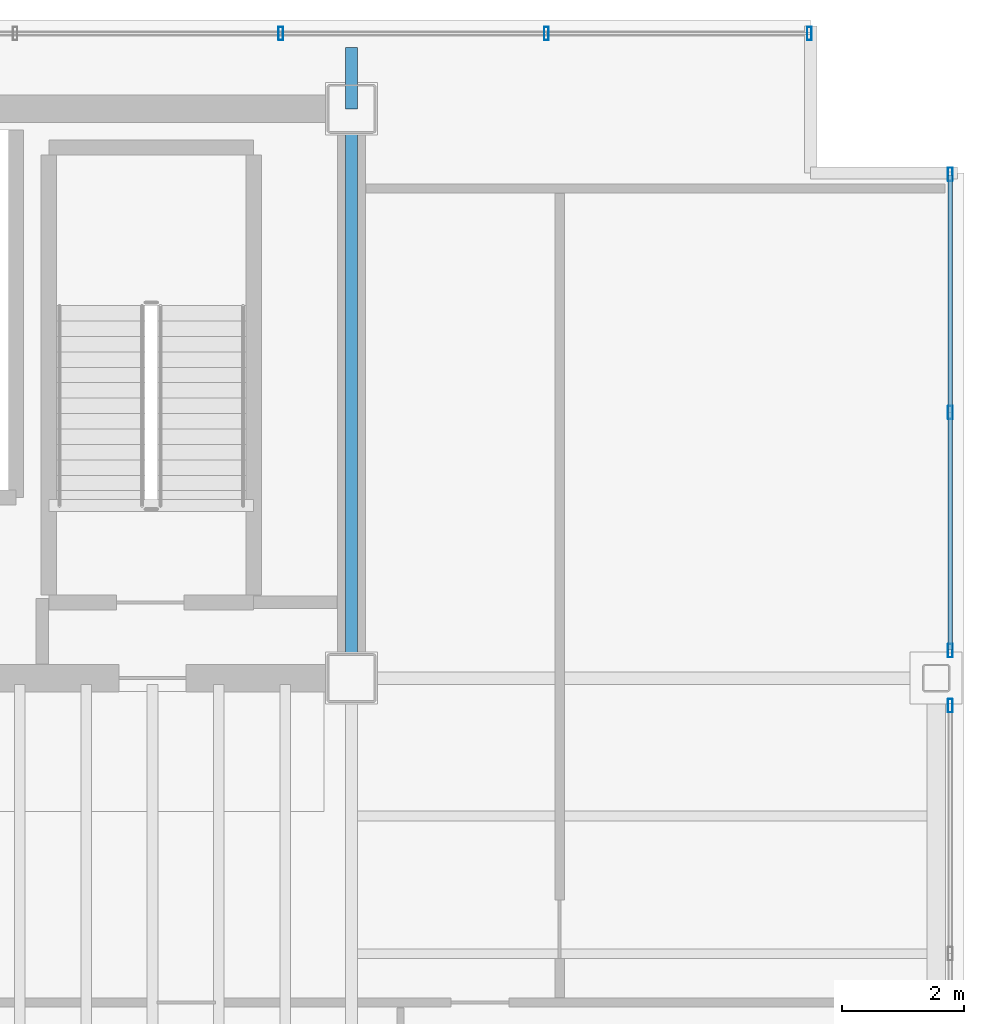
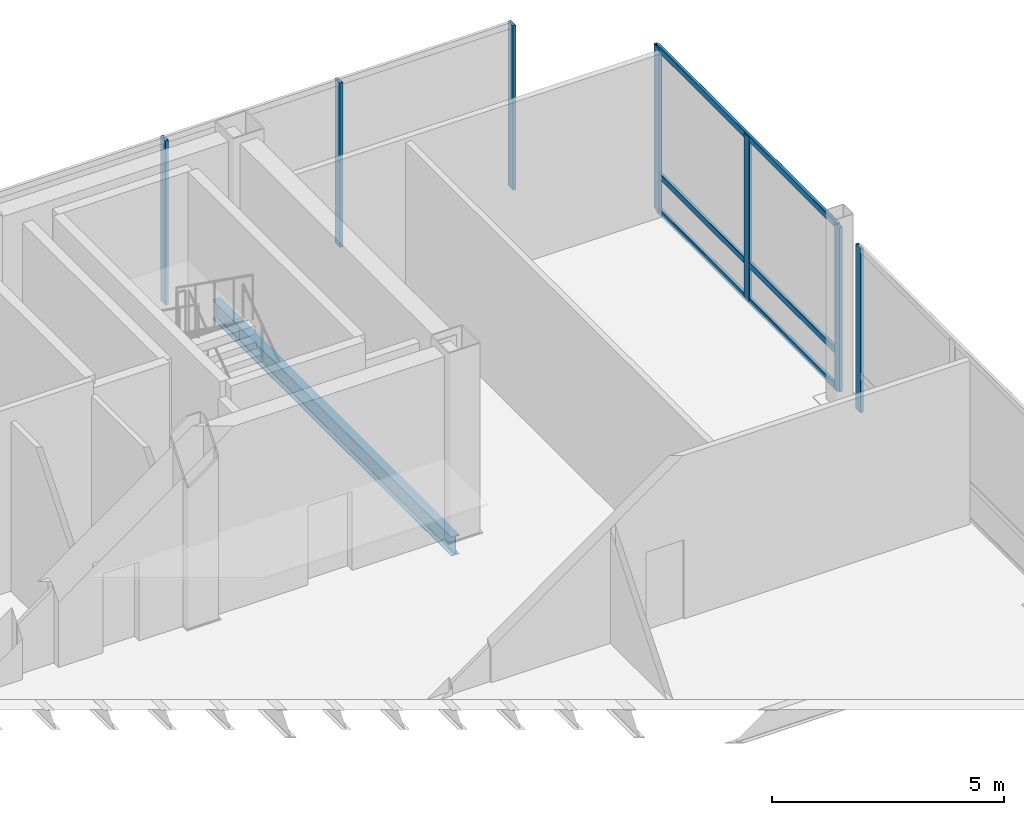
# One storey, part 11 of 15: 10 members, 2 beams, 3 elements without a shape of their own.
"""IFC4 building model written with IfcOpenShell, lengths in metres."""

from ifc_helpers import new_model, si_unit, direction, frame, origin, origin_2d, place, context, subcontext, project, spatial, hollow_rectangle, i_section, extrude, material, material_profile, profile_set, type_object, element, aggregate, save


model = new_model("IFC4")

# Units and contexts
model_context = context("Model", 3, precision=1e-05, world=origin(), true_north=direction((0.0, 1.0)))
body_context = subcontext(model_context, "Body", "Model", "MODEL_VIEW")
ifc_project = project(units=[si_unit("LENGTHUNIT", "METRE"), si_unit("AREAUNIT", "SQUARE_METRE"), si_unit("VOLUMEUNIT", "CUBIC_METRE"), si_unit("PLANEANGLEUNIT", "RADIAN"), si_unit("MASSUNIT", "GRAM", prefix="KILO")], contexts=[model_context])

# Site, building, storey
site_placement = place(None, origin())
site = spatial("IfcSite", under=ifc_project, at=site_placement, CompositionType="ELEMENT")
building_placement = place(site_placement, origin())
building = spatial("IfcBuilding", under=site, at=building_placement, Name="Noeulbin Bourse Tower", CompositionType="ELEMENT")
storey_placement = place(building_placement, frame((0.0, 0.0, 206.10009765625)))
storey = spatial("IfcBuildingStorey", under=building, at=storey_placement, Name="L51", CompositionType="ELEMENT", Elevation=206.10009765625)

# Beams
ifc_material_1 = material(Name="Steel S355", Category="steel")
ifc_material_profile_1 = material_profile(ifc_material_1, i_section(OverallWidth=0.199951171875, OverallDepth=0.5, WebThickness=0.010009765625, FlangeThickness=0.01611328125, FilletRadius=0.02001953125, at=origin_2d()), Name="H-500x200x10x16", Category="LoadBearing")
ifc_profile_set_1 = profile_set([ifc_material_profile_1], Name="Steel S355")
beam_type = type_object("IfcBeamType", Name="BM-GRD-500", PredefinedType="USERDEFINED", material=ifc_profile_set_1)
beam_1_placement = place(storey_placement, frame((44.0, 29.0, -0.43017578125), z_axis=(0.0, 1.0, 0.0), x_axis=(-1.0, 0.0, 0.0)))
element("IfcBeam", 1, at=beam_1_placement, inside=storey, type_object=beam_type, Name="Tower Primary Girder NS L51-5.3", ObjectType="GIRDER", PredefinedType="USERDEFINED", context=body_context, shape_type="SweptSolid", body=[
    extrude(i_section(OverallWidth=0.199951171875, OverallDepth=0.5, WebThickness=0.010009765625, FlangeThickness=0.01611328125, FilletRadius=0.02001953125, at=origin_2d()), origin(), (0.0, 0.0, 1.0), 9.300048828125),
])
beam_2_placement = place(storey_placement, frame((44.0, 38.300048828125, -0.43017578125), z_axis=(0.0, 1.0, 0.0), x_axis=(-1.0, 0.0, 0.0)))
element("IfcBeam", 2, at=beam_2_placement, inside=storey, type_object=beam_type, Name="Tower Primary Girder NS L51-5.4", ObjectType="GIRDER", PredefinedType="USERDEFINED", context=body_context, shape_type="SweptSolid", body=[
    extrude(i_section(OverallWidth=0.199951171875, OverallDepth=0.5, WebThickness=0.010009765625, FlangeThickness=0.01611328125, FilletRadius=0.02001953125, at=origin_2d()), origin(), (0.0, 0.0, 1.0), 1.0),
])

# Curtain wall, members
ifc_material_2 = material(Name="High-Selectivity Low-Iron Glazing", Category="glass")
curtain_wall_type = type_object("IfcCurtainWallType", Name="CW-SYS-4", PredefinedType="NOTDEFINED", material=ifc_material_2)
curtain_wall_1_placement = place(storey_placement, origin())
curtain_wall_1 = element("IfcCurtainWall", 3, at=curtain_wall_1_placement, inside=storey, type_object=curtain_wall_type, Name="Unitised Curtain Wall CW-L51-N", PredefinedType="NOTDEFINED")
ifc_material_3 = material(Name="Anodised Aluminium 6063-T6", Category="aluminium")
ifc_material_profile_2 = material_profile(ifc_material_3, hollow_rectangle(XDim=0.074951171875, YDim=0.219970703125, WallThickness=0.0048828125, InnerFilletRadius=0.00244140625, OuterFilletRadius=0.0048828125, at=origin_2d()), Name="ALU-MULL-75x220x5", Category="LoadBearing")
ifc_profile_set_2 = profile_set([ifc_material_profile_2], Name="Anodised Aluminium 6063-T6")
member_type_1 = type_object("IfcMemberType", Name="CW-SYS-4-MUL", PredefinedType="MULLION", material=ifc_profile_set_2)
member_1_placement = place(storey_placement, frame((42.844482421875, 39.530029296875, -0.02001953125), z_axis=(0.0, 0.0, 1.0), x_axis=(1.0, 0.0, 0.0)))
member_1 = element("IfcMember", 4, at=member_1_placement, type_object=member_type_1, Name="Curtain Wall Mullion CW-L51-N-M07", PredefinedType="MULLION", context=body_context, shape_type="SweptSolid", body=[
    extrude(hollow_rectangle(XDim=0.074951171875, YDim=0.219970703125, WallThickness=0.0048828125, InnerFilletRadius=0.00244140625, OuterFilletRadius=0.0048828125, at=origin_2d()), origin(), (0.0, 0.0, 1.0), 4.31982421875),
])
member_2_placement = place(storey_placement, frame((47.18212890625, 39.530029296875, -0.02001953125), z_axis=(0.0, 0.0, 1.0), x_axis=(1.0, 0.0, 0.0)))
member_2 = element("IfcMember", 5, at=member_2_placement, type_object=member_type_1, Name="Curtain Wall Mullion CW-L51-N-M08", PredefinedType="MULLION", context=body_context, shape_type="SweptSolid", body=[
    extrude(hollow_rectangle(XDim=0.074951171875, YDim=0.219970703125, WallThickness=0.0048828125, InnerFilletRadius=0.00244140625, OuterFilletRadius=0.0048828125, at=origin_2d()), origin(), (0.0, 0.0, 1.0), 4.31982421875),
])
member_3_placement = place(storey_placement, frame((51.47998046875, 39.530029296875, -0.02001953125), z_axis=(0.0, 0.0, 1.0), x_axis=(1.0, 0.0, 0.0)))
member_3 = element("IfcMember", 6, at=member_3_placement, type_object=member_type_1, Name="Curtain Wall Mullion CW-L51-N-M09", PredefinedType="MULLION", context=body_context, shape_type="SweptSolid", body=[
    extrude(hollow_rectangle(XDim=0.074951171875, YDim=0.219970703125, WallThickness=0.0048828125, InnerFilletRadius=0.00244140625, OuterFilletRadius=0.0048828125, at=origin_2d()), origin(), (0.0, 0.0, 1.0), 4.31982421875),
])
aggregate(curtain_wall_1, [member_1, member_2, member_3])

# Curtain wall, member
curtain_wall_2_placement = place(storey_placement, origin())
curtain_wall_2 = element("IfcCurtainWall", 7, at=curtain_wall_2_placement, inside=storey, type_object=curtain_wall_type, Name="Unitised Curtain Wall CW-L51-E-S2", PredefinedType="NOTDEFINED")
member_4_placement = place(storey_placement, frame((53.780029296875, 28.550048828125, -0.02001953125), z_axis=(0.0, 0.0, 1.0), x_axis=(1.0, 0.0, 0.0)))
member_4 = element("IfcMember", 8, at=member_4_placement, type_object=member_type_1, Name="Curtain Wall Mullion CW-L51-E-S2-M02", PredefinedType="MULLION", context=body_context, shape_type="SweptSolid", body=[
    extrude(hollow_rectangle(XDim=0.074951171875, YDim=0.219970703125, WallThickness=0.0048828125, InnerFilletRadius=0.00244140625, OuterFilletRadius=0.0048828125, at=origin_2d()), origin(), (0.0, 0.0, 1.0), 4.31982421875),
])
aggregate(curtain_wall_2, [member_4])

# Curtain wall, members
curtain_wall_3_placement = place(storey_placement, origin())
curtain_wall_3 = element("IfcCurtainWall", 9, at=curtain_wall_3_placement, inside=storey, type_object=curtain_wall_type, Name="Unitised Curtain Wall CW-L51-E-S3", PredefinedType="NOTDEFINED")
member_5_placement = place(storey_placement, frame((53.780029296875, 29.449951171875, -0.02001953125), z_axis=(0.0, 0.0, 1.0), x_axis=(1.0, 0.0, 0.0)))
member_5 = element("IfcMember", 10, at=member_5_placement, type_object=member_type_1, Name="Curtain Wall Mullion CW-L51-E-S3-M00", PredefinedType="MULLION", context=body_context, shape_type="SweptSolid", body=[
    extrude(hollow_rectangle(XDim=0.074951171875, YDim=0.219970703125, WallThickness=0.0048828125, InnerFilletRadius=0.00244140625, OuterFilletRadius=0.0048828125, at=origin_2d()), origin(), (0.0, 0.0, 1.0), 4.31982421875),
])
member_6_placement = place(storey_placement, frame((53.780029296875, 33.340087890625, -0.02001953125), z_axis=(0.0, 0.0, 1.0), x_axis=(1.0, 0.0, 0.0)))
member_6 = element("IfcMember", 11, at=member_6_placement, type_object=member_type_1, Name="Curtain Wall Mullion CW-L51-E-S3-M01", PredefinedType="MULLION", context=body_context, shape_type="SweptSolid", body=[
    extrude(hollow_rectangle(XDim=0.074951171875, YDim=0.219970703125, WallThickness=0.0048828125, InnerFilletRadius=0.00244140625, OuterFilletRadius=0.0048828125, at=origin_2d()), origin(), (0.0, 0.0, 1.0), 4.31982421875),
])
member_7_placement = place(storey_placement, frame((53.780029296875, 37.22998046875, -0.02001953125), z_axis=(0.0, 0.0, 1.0), x_axis=(1.0, 0.0, 0.0)))
member_7 = element("IfcMember", 12, at=member_7_placement, type_object=member_type_1, Name="Curtain Wall Mullion CW-L51-E-S3-M02", PredefinedType="MULLION", context=body_context, shape_type="SweptSolid", body=[
    extrude(hollow_rectangle(XDim=0.074951171875, YDim=0.219970703125, WallThickness=0.0048828125, InnerFilletRadius=0.00244140625, OuterFilletRadius=0.0048828125, at=origin_2d()), origin(), (0.0, 0.0, 1.0), 4.31982421875),
])
ifc_material_profile_3 = material_profile(ifc_material_3, hollow_rectangle(XDim=0.074951171875, YDim=0.159912109375, WallThickness=0.0048828125, InnerFilletRadius=0.00244140625, OuterFilletRadius=0.0048828125, at=origin_2d()), Name="ALU-TRAN-75x160x5", Category="LoadBearing")
ifc_profile_set_3 = profile_set([ifc_material_profile_3], Name="Anodised Aluminium 6063-T6")
member_type_2 = type_object("IfcMemberType", Name="CW-SYS-4-TRN", PredefinedType="USERDEFINED", material=ifc_profile_set_3)
member_8_placement = place(storey_placement, frame((53.780029296875, 29.4599609375, 0.010009765625), z_axis=(0.0, 1.0, 0.0), x_axis=(-1.0, 0.0, 0.0)))
member_8 = element("IfcMember", 13, at=member_8_placement, type_object=member_type_2, Name="Curtain Wall Transom CW-L51-E-S3-T00", ObjectType="TRANSOM", PredefinedType="USERDEFINED", context=body_context, shape_type="SweptSolid", body=[
    extrude(hollow_rectangle(XDim=0.074951171875, YDim=0.159912109375, WallThickness=0.0048828125, InnerFilletRadius=0.00244140625, OuterFilletRadius=0.0048828125, at=origin_2d()), origin(), (0.0, 0.0, 1.0), 7.760009765625),
])
member_9_placement = place(storey_placement, frame((53.780029296875, 29.4599609375, 0.949951171875), z_axis=(0.0, 1.0, 0.0), x_axis=(-1.0, 0.0, 0.0)))
member_9 = element("IfcMember", 14, at=member_9_placement, type_object=member_type_2, Name="Curtain Wall Transom CW-L51-E-S3-T01", ObjectType="TRANSOM", PredefinedType="USERDEFINED", context=body_context, shape_type="SweptSolid", body=[
    extrude(hollow_rectangle(XDim=0.074951171875, YDim=0.159912109375, WallThickness=0.0048828125, InnerFilletRadius=0.00244140625, OuterFilletRadius=0.0048828125, at=origin_2d()), origin(), (0.0, 0.0, 1.0), 7.760009765625),
])
member_10_placement = place(storey_placement, frame((53.780029296875, 29.4599609375, 4.27001953125), z_axis=(0.0, 1.0, 0.0), x_axis=(-1.0, 0.0, 0.0)))
member_10 = element("IfcMember", 15, at=member_10_placement, type_object=member_type_2, Name="Curtain Wall Transom CW-L51-E-S3-T02", ObjectType="TRANSOM", PredefinedType="USERDEFINED", context=body_context, shape_type="SweptSolid", body=[
    extrude(hollow_rectangle(XDim=0.074951171875, YDim=0.159912109375, WallThickness=0.0048828125, InnerFilletRadius=0.00244140625, OuterFilletRadius=0.0048828125, at=origin_2d()), origin(), (0.0, 0.0, 1.0), 7.760009765625),
])
aggregate(curtain_wall_3, [member_5, member_6, member_7, member_8, member_9, member_10])

save(model, "model.ifc")
